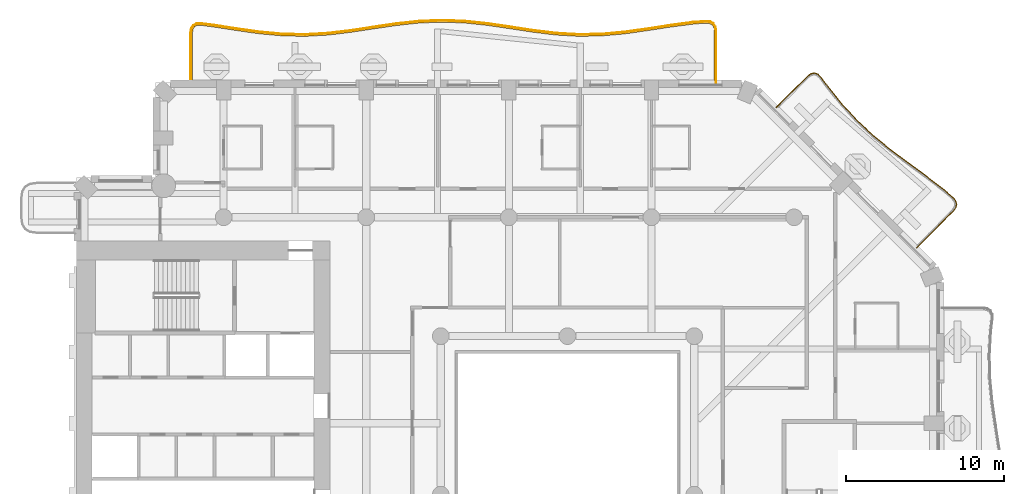
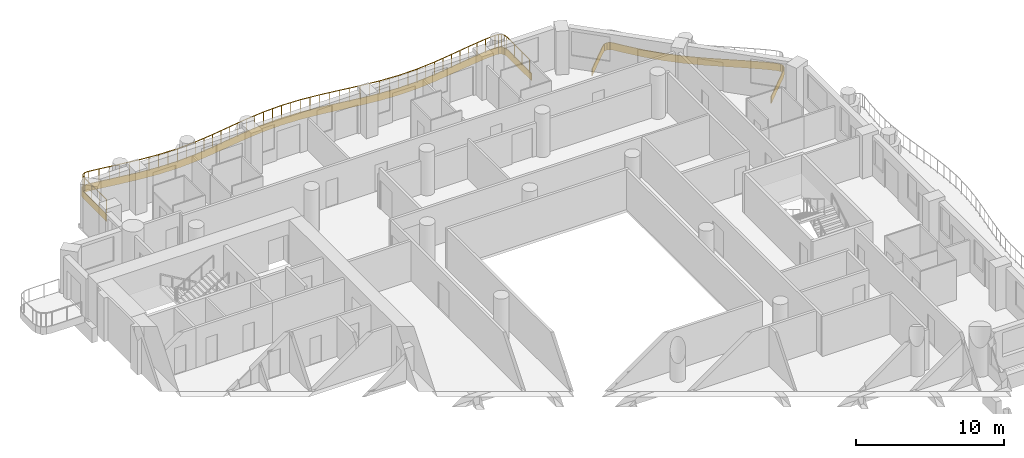
# One storey, part 18 of 20: 2 coverings, 1 railing.
"""IFC4 building model written with IfcOpenShell, lengths in metres."""

from ifc_helpers import new_model, si_unit, direction, frame, origin, origin_2d, place, context, subcontext, project, spatial, polyline, rectangle, outline, extrude, material, layer, layer_set, type_object, element, save


model = new_model("IFC4")

# Units and contexts
model_context = context("Model", 3, precision=1e-05, world=origin(), true_north=direction((0.0, 1.0)))
body_context = subcontext(model_context, "Body", "Model", "MODEL_VIEW")
ifc_project = project(units=[si_unit("LENGTHUNIT", "METRE"), si_unit("AREAUNIT", "SQUARE_METRE"), si_unit("VOLUMEUNIT", "CUBIC_METRE"), si_unit("PLANEANGLEUNIT", "RADIAN"), si_unit("MASSUNIT", "GRAM", prefix="KILO")], contexts=[model_context])

# Site, building, storey
site_placement = place(None, origin())
site = spatial("IfcSite", under=ifc_project, at=site_placement, CompositionType="ELEMENT")
building_placement = place(site_placement, origin())
building = spatial("IfcBuilding", under=site, at=building_placement, Name="Cypress Arch Tower", CompositionType="ELEMENT")
storey_placement = place(building_placement, frame((0.0, 0.0, 120.300048828125)))
storey = spatial("IfcBuildingStorey", under=building, at=storey_placement, Name="L25", CompositionType="ELEMENT", Elevation=120.300048828125)

# Coverings
ifc_material_1 = material(Name="White powder-coated aluminium fascia", Category="aluminium")
ifc_layer = layer(ifc_material_1, 0.050048828125)
ifc_layer_set = layer_set([ifc_layer], Name="Balcony fascia BF50")
covering_type = type_object("IfcCoveringType", Name="Balcony fascia BF50", PredefinedType="CLADDING", material=ifc_layer_set)
covering_1_placement = place(storey_placement, frame((0.0, 0.0, -0.60009765625)))
element("IfcCovering", 1, at=covering_1_placement, inside=storey, type_object=covering_type, Name="Balcony fascia L25-A07", PredefinedType="CLADDING", context=body_context, shape_type="SweptSolid", body=[
    extrude(outline(polyline([(16.12109375, 26.409912109375), (16.351318359375, 26.58203125), (16.5859375, 26.631591796875), (16.81103515625, 26.54833984375), (17.013671875, 26.3447265625), (17.47509765625, 25.724609375), (18.349609375, 24.643310546875), (19.287109375, 23.626220703125), (20.297607421875, 22.68212890625), (21.373779296875, 21.802734375), (22.493896484375, 20.965087890625), (23.62548828125, 20.13671875), (24.734130859375, 19.282958984375), (25.317138671875, 18.78125), (25.50634765625, 18.564453125), (25.57861328125, 18.331298828125), (25.52392578125, 18.09326171875), (25.3515625, 17.86279296875), (23.045166015625, 15.556396484375), (23.009765625, 15.591796875), (25.313720703125, 17.895751953125), (25.4775390625, 18.11474609375), (25.52685546875, 18.329345703125), (25.461669921875, 18.53955078125), (25.281982421875, 18.74560546875), (24.70263671875, 19.244140625), (23.595458984375, 20.0966796875), (22.464111328125, 20.9248046875), (21.343017578125, 21.76318359375), (20.2646484375, 22.64453125), (19.251708984375, 23.591064453125), (18.311767578125, 24.610595703125), (17.435546875, 25.694091796875), (16.975830078125, 26.31201171875), (16.783203125, 26.50537109375), (16.582275390625, 26.579833984375), (16.372314453125, 26.535400390625), (16.15380859375, 26.371826171875), (14.191650390625, 24.40966796875), (14.15625, 24.445068359375), (16.12109375, 26.409912109375)])), origin(), (0.0, 0.0, 1.0), 0.60009765625),
])
covering_2_placement = place(storey_placement, frame((0.0, 0.0, -0.60009765625)))
element("IfcCovering", 2, at=covering_2_placement, inside=storey, type_object=covering_type, Name="Balcony fascia L25-A08", PredefinedType="CLADDING", context=body_context, shape_type="SweptSolid", body=[
    extrude(outline(polyline([(-22.800048828125, 29.129638671875), (-22.757568359375, 29.42431640625), (-22.622314453125, 29.6337890625), (-22.397216796875, 29.740478515625), (-22.099365234375, 29.744384765625), (-21.3037109375, 29.64013671875), (-19.864501953125, 29.4169921875), (-18.4267578125, 29.21435546875), (-16.99072265625, 29.082275390625), (-15.55517578125, 29.05322265625), (-14.11962890625, 29.13427734375), (-12.682861328125, 29.3056640625), (-11.244384765625, 29.525146484375), (-9.80419921875, 29.73828125), (-8.3623046875, 29.892822265625), (-6.919677734375, 29.949951171875), (-5.476806640625, 29.895751953125), (-4.034912109375, 29.74365234375), (-2.5947265625, 29.53125), (-1.15625, 29.311279296875), (0.280517578125, 29.137939453125), (1.71630859375, 29.05419921875), (3.151611328125, 29.080078125), (4.587646484375, 29.209716796875), (6.025390625, 29.410888671875), (7.464599609375, 29.63427734375), (8.90576171875, 29.82470703125), (9.7021484375, 29.885498046875), (9.99951171875, 29.865478515625), (10.223388671875, 29.748046875), (10.357421875, 29.533935546875), (10.39990234375, 29.23876953125), (10.39990234375, 26.0009765625), (10.35009765625, 26.0009765625), (10.35009765625, 29.235107421875), (10.3095703125, 29.516357421875), (10.18798828125, 29.7099609375), (9.98583984375, 29.81640625), (9.702392578125, 29.835205078125), (8.910888671875, 29.77490234375), (7.4716796875, 29.584716796875), (6.03271484375, 29.361572265625), (4.593505859375, 29.159912109375), (3.154296875, 29.030029296875), (1.71533203125, 29.004150390625), (0.276123046875, 29.088134765625), (-1.1630859375, 29.26171875), (-2.602294921875, 29.481689453125), (-4.041259765625, 29.69384765625), (-5.48046875, 29.845947265625), (-6.919677734375, 29.89990234375), (-8.358642578125, 29.843017578125), (-9.7978515625, 29.688720703125), (-11.237060546875, 29.4755859375), (-12.676025390625, 29.256103515625), (-14.115234375, 29.08447265625), (-15.554443359375, 29.003173828125), (-16.993408203125, 29.032470703125), (-18.4326171875, 29.164794921875), (-19.871826171875, 29.367431640625), (-21.310791015625, 29.590576171875), (-22.102294921875, 29.6943359375), (-22.3857421875, 29.690673828125), (-22.588134765625, 29.5947265625), (-22.70947265625, 29.406494140625), (-22.75, 29.1259765625), (-22.75, 26.0009765625), (-22.800048828125, 26.0009765625), (-22.800048828125, 29.129638671875)])), origin(), (0.0, 0.0, 1.0), 0.60009765625),
])

# Railing
ifc_material_2 = material(Name="Powder-coated steel posts and rods, 100 mm clear between rods", Category="steel")
railing_type = type_object("IfcRailingType", Name="Balcony guard GR1100", PredefinedType="GUARDRAIL", material=ifc_material_2)
railing_placement = place(storey_placement, frame((-22.699951171875, 26.14990234375, 0.0)))
element("IfcRailing", 3, at=railing_placement, inside=storey, type_object=railing_type, Name="Balcony guard L25-A08", PredefinedType="GUARDRAIL", context=body_context, shape_type="SweptSolid", body=[
    extrude(rectangle(XDim=0.050048828125, YDim=0.050048828125, at=origin_2d()), frame((0.0, 0.0, 1.0751953125), z_axis=(0.0, 1.0, 0.0), x_axis=(-1.0, 0.0, 0.0)), (0.0, 0.0, 1.0), 2.972412109375),
    extrude(rectangle(XDim=0.050048828125, YDim=0.050048828125, at=origin_2d()), frame((0.0, 2.972412109375, 1.0751953125), z_axis=(0.14256541736, 0.989785381673, 0.0), x_axis=(-0.989785381673, 0.14256541736, 0.0)), (0.0, 0.0, 1.0), 0.268798828125),
    extrude(rectangle(XDim=0.050048828125, YDim=0.050048828125, at=origin_2d()), frame((0.038330078125, 3.238525390625, 1.0751953125), z_axis=(0.5421827487, 0.840260594704, 0.0), x_axis=(-0.840260594704, 0.5421827487, 0.0)), (0.0, 0.0, 1.0), 0.198974609375),
    extrude(rectangle(XDim=0.050048828125, YDim=0.050048828125, at=origin_2d()), frame((0.146240234375, 3.40576171875, 1.0751953125), z_axis=(0.903812941025, 0.427927759832, 0.0), x_axis=(-0.427927759832, 0.903812941025, 0.0)), (0.0, 0.0, 1.0), 0.198486328125),
    extrude(rectangle(XDim=0.050048828125, YDim=0.050048828125, at=origin_2d()), frame((0.32568359375, 3.49072265625, 1.0751953125), z_axis=(0.999907374836, 0.013610354467, 0.0), x_axis=(-0.013610354467, 0.999907374836, 0.0)), (0.0, 0.0, 1.0), 0.26904296875),
    extrude(rectangle(XDim=0.050048828125, YDim=0.050048828125, at=origin_2d()), frame((0.5947265625, 3.494384765625, 1.0751953125), z_axis=(0.991547179786, -0.129746638719, 0.0), x_axis=(0.129746638719, 0.991547179786, 0.0)), (0.0, 0.0, 1.0), 0.7939453125),
    extrude(rectangle(XDim=0.050048828125, YDim=0.050048828125, at=origin_2d()), frame((1.382080078125, 3.391357421875, 1.0751953125), z_axis=(0.988184852879, -0.153266749624, 0.0), x_axis=(0.153266749624, 0.988184852879, 0.0)), (0.0, 0.0, 1.0), 1.455810546875),
    extrude(rectangle(XDim=0.050048828125, YDim=0.050048828125, at=origin_2d()), frame((2.82080078125, 3.168212890625, 1.0751953125), z_axis=(0.990206257775, -0.139612202418, 0.0), x_axis=(0.139612202418, 0.990206257775, 0.0)), (0.0, 0.0, 1.0), 1.454833984375),
    extrude(rectangle(XDim=0.050048828125, YDim=0.050048828125, at=origin_2d()), frame((4.261474609375, 2.965087890625, 1.0751953125), z_axis=(0.995801502234, -0.091538888727, 0.0), x_axis=(0.091538888727, 0.995801502234, 0.0)), (0.0, 0.0, 1.0), 1.4482421875),
    extrude(rectangle(XDim=0.050048828125, YDim=0.050048828125, at=origin_2d()), frame((5.70361328125, 2.83251953125, 1.0751953125), z_axis=(0.999793925966, -0.020300384284, 0.0), x_axis=(0.020300384284, 0.999793925966, 0.0)), (0.0, 0.0, 1.0), 1.443115234375),
    extrude(rectangle(XDim=0.050048828125, YDim=0.050048828125, at=origin_2d()), frame((7.146484375, 2.80322265625, 1.0751953125), z_axis=(0.998406339477, 0.05643386654, 0.0), x_axis=(-0.05643386654, 0.998406339477, 0.0)), (0.0, 0.0, 1.0), 1.44482421875),
    extrude(rectangle(XDim=0.050048828125, YDim=0.050048828125, at=origin_2d()), frame((8.589111328125, 2.884765625, 1.0751953125), z_axis=(0.992965693526, 0.11840241332, 0.0), x_axis=(-0.11840241332, 0.992965693526, 0.0)), (0.0, 0.0, 1.0), 1.45166015625),
    extrude(rectangle(XDim=0.050048828125, YDim=0.050048828125, at=origin_2d()), frame((10.030517578125, 3.056640625, 1.0751953125), z_axis=(0.988556974832, 0.150847961572, 0.0), x_axis=(-0.150847961572, 0.988556974832, 0.0)), (0.0, 0.0, 1.0), 1.45654296875),
    extrude(rectangle(XDim=0.050048828125, YDim=0.050048828125, at=origin_2d()), frame((11.470458984375, 3.2763671875, 1.0751953125), z_axis=(0.989217885368, 0.146451272673, 0.0), x_axis=(-0.146451272673, 0.989217885368, 0.0)), (0.0, 0.0, 1.0), 1.45361328125),
    extrude(rectangle(XDim=0.050048828125, YDim=0.050048828125, at=origin_2d()), frame((12.908447265625, 3.4892578125, 1.0751953125), z_axis=(0.994316822862, 0.106461522502, 0.0), x_axis=(-0.106461522502, 0.994316822862, 0.0)), (0.0, 0.0, 1.0), 1.44482421875),
    extrude(rectangle(XDim=0.050048828125, YDim=0.050048828125, at=origin_2d()), frame((14.344970703125, 3.64306640625, 1.0751953125), z_axis=(0.999215819367, 0.039594776516, 0.0), x_axis=(-0.039594776516, 0.999215819367, 0.0)), (0.0, 0.0, 1.0), 1.436767578125),
    extrude(rectangle(XDim=0.050048828125, YDim=0.050048828125, at=origin_2d()), frame((15.780517578125, 3.699951171875, 1.0751953125), z_axis=(0.999294430056, -0.037558515143, 0.0), x_axis=(0.037558515143, 0.999294430056, 0.0)), (0.0, 0.0, 1.0), 1.4365234375),
    extrude(rectangle(XDim=0.050048828125, YDim=0.050048828125, at=origin_2d()), frame((17.216064453125, 3.64599609375, 1.0751953125), z_axis=(0.994474844006, -0.104975162014, 0.0), x_axis=(0.104975162014, 0.994474844006, 0.0)), (0.0, 0.0, 1.0), 1.4443359375),
    extrude(rectangle(XDim=0.050048828125, YDim=0.050048828125, at=origin_2d()), frame((18.65234375, 3.494384765625, 1.0751953125), z_axis=(0.989315000854, -0.145793789599, 0.0), x_axis=(0.145793789599, 0.989315000854, 0.0)), (0.0, 0.0, 1.0), 1.45361328125),
    extrude(rectangle(XDim=0.050048828125, YDim=0.050048828125, at=origin_2d()), frame((20.09033203125, 3.282470703125, 1.0751953125), z_axis=(0.988503103525, -0.151200576459, 0.0), x_axis=(0.151200576459, 0.988503103525, 0.0)), (0.0, 0.0, 1.0), 1.45654296875),
    extrude(rectangle(XDim=0.050048828125, YDim=0.050048828125, at=origin_2d()), frame((21.530029296875, 3.062255859375, 1.0751953125), z_axis=(0.992809055205, -0.119708729434, 0.0), x_axis=(0.119708729434, 0.992809055205, 0.0)), (0.0, 0.0, 1.0), 1.4521484375),
    extrude(rectangle(XDim=0.050048828125, YDim=0.050048828125, at=origin_2d()), frame((22.9716796875, 2.888427734375, 1.0751953125), z_axis=(0.998299337099, -0.058296085189, 0.0), x_axis=(0.058296085189, 0.998299337099, 0.0)), (0.0, 0.0, 1.0), 1.44482421875),
    extrude(rectangle(XDim=0.050048828125, YDim=0.050048828125, at=origin_2d()), frame((24.4140625, 2.80419921875, 1.0751953125), z_axis=(0.999836146453, 0.018101940384, 0.0), x_axis=(-0.018101940384, 0.999836146453, 0.0)), (0.0, 0.0, 1.0), 1.443115234375),
    extrude(rectangle(XDim=0.050048828125, YDim=0.050048828125, at=origin_2d()), frame((25.85693359375, 2.830322265625, 1.0751953125), z_axis=(0.995953790443, 0.08986683093, 0.0), x_axis=(-0.08986683093, 0.995953790443, 0.0)), (0.0, 0.0, 1.0), 1.447998046875),
    extrude(rectangle(XDim=0.050048828125, YDim=0.050048828125, at=origin_2d()), frame((27.299072265625, 2.96044921875, 1.0751953125), z_axis=(0.990344972575, 0.138624800432, 0.0), x_axis=(-0.138624800432, 0.990344972575, 0.0)), (0.0, 0.0, 1.0), 1.454833984375),
    extrude(rectangle(XDim=0.050048828125, YDim=0.050048828125, at=origin_2d()), frame((28.73974609375, 3.162109375, 1.0751953125), z_axis=(0.98816338909, 0.153405073128, 0.0), x_axis=(-0.153405073128, 0.98816338909, 0.0)), (0.0, 0.0, 1.0), 1.456298828125),
    extrude(rectangle(XDim=0.050048828125, YDim=0.050048828125, at=origin_2d()), frame((30.1787109375, 3.385498046875, 1.0751953125), z_axis=(0.991402055353, 0.130850925261, 0.0), x_axis=(-0.130850925261, 0.991402055353, 0.0)), (0.0, 0.0, 1.0), 1.44970703125),
    extrude(rectangle(XDim=0.050048828125, YDim=0.050048828125, at=origin_2d()), frame((31.615966796875, 3.5751953125, 1.0751953125), z_axis=(0.99709801299, 0.076128526131, 0.0), x_axis=(-0.076128526131, 0.99709801299, 0.0)), (0.0, 0.0, 1.0), 0.788818359375),
    extrude(rectangle(XDim=0.050048828125, YDim=0.050048828125, at=origin_2d()), frame((32.402587890625, 3.63525390625, 1.0751953125), z_axis=(0.997757051233, -0.066939276329, 0.0), x_axis=(0.066939276329, 0.997757051233, 0.0)), (0.0, 0.0, 1.0), 0.269775390625),
    extrude(rectangle(XDim=0.050048828125, YDim=0.050048828125, at=origin_2d()), frame((32.671875, 3.6171875, 1.0751953125), z_axis=(0.884918222382, -0.465746432833, 0.0), x_axis=(0.465746432833, 0.884918222382, 0.0)), (0.0, 0.0, 1.0), 0.204345703125),
    extrude(rectangle(XDim=0.050048828125, YDim=0.050048828125, at=origin_2d()), frame((32.852783203125, 3.52197265625, 1.0751953125), z_axis=(0.531071251699, -0.847327165632, 0.0), x_axis=(0.847327165632, 0.531071251699, 0.0)), (0.0, 0.0, 1.0), 0.20458984375),
    extrude(rectangle(XDim=0.050048828125, YDim=0.050048828125, at=origin_2d()), frame((32.96142578125, 3.3486328125, 1.0751953125), z_axis=(0.143069172256, -0.989712691618, 0.0), x_axis=(0.989712691618, 0.143069172256, 0.0)), (0.0, 0.0, 1.0), 0.26953125),
    extrude(rectangle(XDim=0.050048828125, YDim=0.050048828125, at=origin_2d()), frame((33.0, 3.081787109375, 1.0751953125), z_axis=(0.0, -1.0, 0.0), x_axis=(1.0, 0.0, 0.0)), (0.0, 0.0, 1.0), 3.081787109375),
    extrude(rectangle(XDim=0.0400390625, YDim=0.0400390625, at=origin_2d()), origin(), (0.0, 0.0, 1.0), 1.050048828125),
    extrude(rectangle(XDim=0.0400390625, YDim=0.0400390625, at=origin_2d()), frame((0.0, 0.99072265625, 0.0)), (0.0, 0.0, 1.0), 1.050048828125),
    extrude(rectangle(XDim=0.0400390625, YDim=0.0400390625, at=origin_2d()), frame((0.0, 1.981689453125, 0.0)), (0.0, 0.0, 1.0), 1.050048828125),
    extrude(rectangle(XDim=0.0400390625, YDim=0.0400390625, at=origin_2d()), frame((0.0, 2.972412109375, 0.0)), (0.0, 0.0, 1.0), 1.050048828125),
    extrude(rectangle(XDim=0.0400390625, YDim=0.0400390625, at=origin_2d()), frame((0.038330078125, 3.238525390625, 0.0)), (0.0, 0.0, 1.0), 1.050048828125),
    extrude(rectangle(XDim=0.0400390625, YDim=0.0400390625, at=origin_2d()), frame((0.146240234375, 3.40576171875, 0.0)), (0.0, 0.0, 1.0), 1.050048828125),
    extrude(rectangle(XDim=0.0400390625, YDim=0.0400390625, at=origin_2d()), frame((0.32568359375, 3.49072265625, 0.0)), (0.0, 0.0, 1.0), 1.050048828125),
    extrude(rectangle(XDim=0.0400390625, YDim=0.0400390625, at=origin_2d()), frame((0.5947265625, 3.494384765625, 0.0)), (0.0, 0.0, 1.0), 1.050048828125),
    extrude(rectangle(XDim=0.0400390625, YDim=0.0400390625, at=origin_2d()), frame((1.382080078125, 3.391357421875, 0.0)), (0.0, 0.0, 1.0), 1.050048828125),
    extrude(rectangle(XDim=0.0400390625, YDim=0.0400390625, at=origin_2d()), frame((2.1015625, 3.27978515625, 0.0)), (0.0, 0.0, 1.0), 1.050048828125),
    extrude(rectangle(XDim=0.0400390625, YDim=0.0400390625, at=origin_2d()), frame((2.82080078125, 3.168212890625, 0.0)), (0.0, 0.0, 1.0), 1.050048828125),
    extrude(rectangle(XDim=0.0400390625, YDim=0.0400390625, at=origin_2d()), frame((3.541015625, 3.066650390625, 0.0)), (0.0, 0.0, 1.0), 1.050048828125),
    extrude(rectangle(XDim=0.0400390625, YDim=0.0400390625, at=origin_2d()), frame((4.261474609375, 2.965087890625, 0.0)), (0.0, 0.0, 1.0), 1.050048828125),
    extrude(rectangle(XDim=0.0400390625, YDim=0.0400390625, at=origin_2d()), frame((4.982421875, 2.89892578125, 0.0)), (0.0, 0.0, 1.0), 1.050048828125),
    extrude(rectangle(XDim=0.0400390625, YDim=0.0400390625, at=origin_2d()), frame((5.70361328125, 2.83251953125, 0.0)), (0.0, 0.0, 1.0), 1.050048828125),
    extrude(rectangle(XDim=0.0400390625, YDim=0.0400390625, at=origin_2d()), frame((6.425048828125, 2.81787109375, 0.0)), (0.0, 0.0, 1.0), 1.050048828125),
    extrude(rectangle(XDim=0.0400390625, YDim=0.0400390625, at=origin_2d()), frame((7.146484375, 2.80322265625, 0.0)), (0.0, 0.0, 1.0), 1.050048828125),
    extrude(rectangle(XDim=0.0400390625, YDim=0.0400390625, at=origin_2d()), frame((7.86767578125, 2.843994140625, 0.0)), (0.0, 0.0, 1.0), 1.050048828125),
    extrude(rectangle(XDim=0.0400390625, YDim=0.0400390625, at=origin_2d()), frame((8.589111328125, 2.884765625, 0.0)), (0.0, 0.0, 1.0), 1.050048828125),
    extrude(rectangle(XDim=0.0400390625, YDim=0.0400390625, at=origin_2d()), frame((9.309814453125, 2.970703125, 0.0)), (0.0, 0.0, 1.0), 1.050048828125),
    extrude(rectangle(XDim=0.0400390625, YDim=0.0400390625, at=origin_2d()), frame((10.030517578125, 3.056640625, 0.0)), (0.0, 0.0, 1.0), 1.050048828125),
    extrude(rectangle(XDim=0.0400390625, YDim=0.0400390625, at=origin_2d()), frame((10.75048828125, 3.16650390625, 0.0)), (0.0, 0.0, 1.0), 1.050048828125),
    extrude(rectangle(XDim=0.0400390625, YDim=0.0400390625, at=origin_2d()), frame((11.470458984375, 3.2763671875, 0.0)), (0.0, 0.0, 1.0), 1.050048828125),
    extrude(rectangle(XDim=0.0400390625, YDim=0.0400390625, at=origin_2d()), frame((12.189453125, 3.3828125, 0.0)), (0.0, 0.0, 1.0), 1.050048828125),
    extrude(rectangle(XDim=0.0400390625, YDim=0.0400390625, at=origin_2d()), frame((12.908447265625, 3.4892578125, 0.0)), (0.0, 0.0, 1.0), 1.050048828125),
    extrude(rectangle(XDim=0.0400390625, YDim=0.0400390625, at=origin_2d()), frame((13.626708984375, 3.566162109375, 0.0)), (0.0, 0.0, 1.0), 1.050048828125),
    extrude(rectangle(XDim=0.0400390625, YDim=0.0400390625, at=origin_2d()), frame((14.344970703125, 3.64306640625, 0.0)), (0.0, 0.0, 1.0), 1.050048828125),
    extrude(rectangle(XDim=0.0400390625, YDim=0.0400390625, at=origin_2d()), frame((15.062744140625, 3.67138671875, 0.0)), (0.0, 0.0, 1.0), 1.050048828125),
    extrude(rectangle(XDim=0.0400390625, YDim=0.0400390625, at=origin_2d()), frame((15.780517578125, 3.699951171875, 0.0)), (0.0, 0.0, 1.0), 1.050048828125),
    extrude(rectangle(XDim=0.0400390625, YDim=0.0400390625, at=origin_2d()), frame((16.498291015625, 3.6728515625, 0.0)), (0.0, 0.0, 1.0), 1.050048828125),
    extrude(rectangle(XDim=0.0400390625, YDim=0.0400390625, at=origin_2d()), frame((17.216064453125, 3.64599609375, 0.0)), (0.0, 0.0, 1.0), 1.050048828125),
    extrude(rectangle(XDim=0.0400390625, YDim=0.0400390625, at=origin_2d()), frame((17.93408203125, 3.5703125, 0.0)), (0.0, 0.0, 1.0), 1.050048828125),
    extrude(rectangle(XDim=0.0400390625, YDim=0.0400390625, at=origin_2d()), frame((18.65234375, 3.494384765625, 0.0)), (0.0, 0.0, 1.0), 1.050048828125),
    extrude(rectangle(XDim=0.0400390625, YDim=0.0400390625, at=origin_2d()), frame((19.371337890625, 3.388427734375, 0.0)), (0.0, 0.0, 1.0), 1.050048828125),
    extrude(rectangle(XDim=0.0400390625, YDim=0.0400390625, at=origin_2d()), frame((20.09033203125, 3.282470703125, 0.0)), (0.0, 0.0, 1.0), 1.050048828125),
    extrude(rectangle(XDim=0.0400390625, YDim=0.0400390625, at=origin_2d()), frame((20.81005859375, 3.17236328125, 0.0)), (0.0, 0.0, 1.0), 1.050048828125),
    extrude(rectangle(XDim=0.0400390625, YDim=0.0400390625, at=origin_2d()), frame((21.530029296875, 3.062255859375, 0.0)), (0.0, 0.0, 1.0), 1.050048828125),
    extrude(rectangle(XDim=0.0400390625, YDim=0.0400390625, at=origin_2d()), frame((22.2509765625, 2.975341796875, 0.0)), (0.0, 0.0, 1.0), 1.050048828125),
    extrude(rectangle(XDim=0.0400390625, YDim=0.0400390625, at=origin_2d()), frame((22.9716796875, 2.888427734375, 0.0)), (0.0, 0.0, 1.0), 1.050048828125),
    extrude(rectangle(XDim=0.0400390625, YDim=0.0400390625, at=origin_2d()), frame((23.69287109375, 2.84619140625, 0.0)), (0.0, 0.0, 1.0), 1.050048828125),
    extrude(rectangle(XDim=0.0400390625, YDim=0.0400390625, at=origin_2d()), frame((24.4140625, 2.80419921875, 0.0)), (0.0, 0.0, 1.0), 1.050048828125),
    extrude(rectangle(XDim=0.0400390625, YDim=0.0400390625, at=origin_2d()), frame((25.135498046875, 2.8173828125, 0.0)), (0.0, 0.0, 1.0), 1.050048828125),
    extrude(rectangle(XDim=0.0400390625, YDim=0.0400390625, at=origin_2d()), frame((25.85693359375, 2.830322265625, 0.0)), (0.0, 0.0, 1.0), 1.050048828125),
    extrude(rectangle(XDim=0.0400390625, YDim=0.0400390625, at=origin_2d()), frame((26.578125, 2.8955078125, 0.0)), (0.0, 0.0, 1.0), 1.050048828125),
    extrude(rectangle(XDim=0.0400390625, YDim=0.0400390625, at=origin_2d()), frame((27.299072265625, 2.96044921875, 0.0)), (0.0, 0.0, 1.0), 1.050048828125),
    extrude(rectangle(XDim=0.0400390625, YDim=0.0400390625, at=origin_2d()), frame((28.01953125, 3.061279296875, 0.0)), (0.0, 0.0, 1.0), 1.050048828125),
    extrude(rectangle(XDim=0.0400390625, YDim=0.0400390625, at=origin_2d()), frame((28.73974609375, 3.162109375, 0.0)), (0.0, 0.0, 1.0), 1.050048828125),
    extrude(rectangle(XDim=0.0400390625, YDim=0.0400390625, at=origin_2d()), frame((29.459228515625, 3.27392578125, 0.0)), (0.0, 0.0, 1.0), 1.050048828125),
    extrude(rectangle(XDim=0.0400390625, YDim=0.0400390625, at=origin_2d()), frame((30.1787109375, 3.385498046875, 0.0)), (0.0, 0.0, 1.0), 1.050048828125),
    extrude(rectangle(XDim=0.0400390625, YDim=0.0400390625, at=origin_2d()), frame((30.8974609375, 3.48046875, 0.0)), (0.0, 0.0, 1.0), 1.050048828125),
    extrude(rectangle(XDim=0.0400390625, YDim=0.0400390625, at=origin_2d()), frame((31.615966796875, 3.5751953125, 0.0)), (0.0, 0.0, 1.0), 1.050048828125),
    extrude(rectangle(XDim=0.0400390625, YDim=0.0400390625, at=origin_2d()), frame((32.402587890625, 3.63525390625, 0.0)), (0.0, 0.0, 1.0), 1.050048828125),
    extrude(rectangle(XDim=0.0400390625, YDim=0.0400390625, at=origin_2d()), frame((32.671875, 3.6171875, 0.0)), (0.0, 0.0, 1.0), 1.050048828125),
    extrude(rectangle(XDim=0.0400390625, YDim=0.0400390625, at=origin_2d()), frame((32.852783203125, 3.52197265625, 0.0)), (0.0, 0.0, 1.0), 1.050048828125),
    extrude(rectangle(XDim=0.0400390625, YDim=0.0400390625, at=origin_2d()), frame((32.96142578125, 3.3486328125, 0.0)), (0.0, 0.0, 1.0), 1.050048828125),
    extrude(rectangle(XDim=0.0400390625, YDim=0.0400390625, at=origin_2d()), frame((33.0, 3.081787109375, 0.0)), (0.0, 0.0, 1.0), 1.050048828125),
    extrude(rectangle(XDim=0.0400390625, YDim=0.0400390625, at=origin_2d()), frame((33.0, 2.054443359375, 0.0)), (0.0, 0.0, 1.0), 1.050048828125),
    extrude(rectangle(XDim=0.0400390625, YDim=0.0400390625, at=origin_2d()), frame((33.0, 1.02734375, 0.0)), (0.0, 0.0, 1.0), 1.050048828125),
    extrude(rectangle(XDim=0.0400390625, YDim=0.0400390625, at=origin_2d()), frame((33.0, 0.0, 0.0)), (0.0, 0.0, 1.0), 1.050048828125),
])

save(model, "model.ifc")
